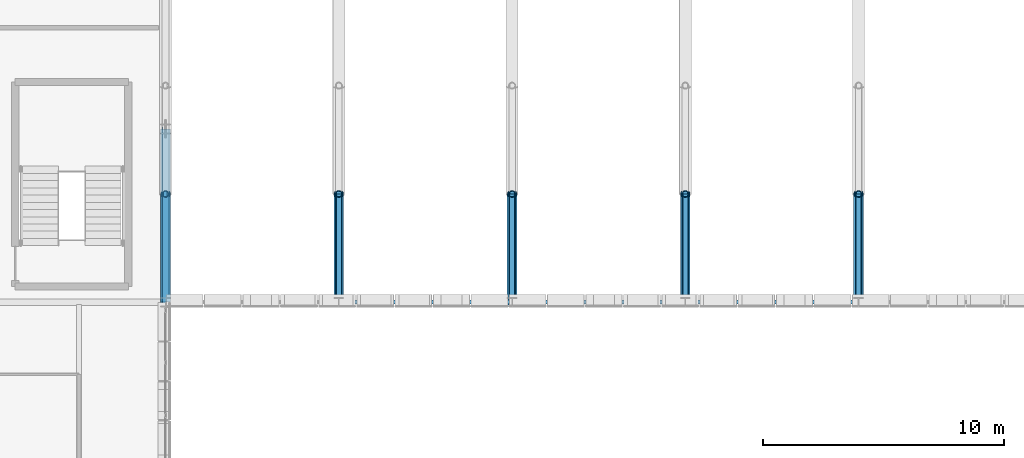
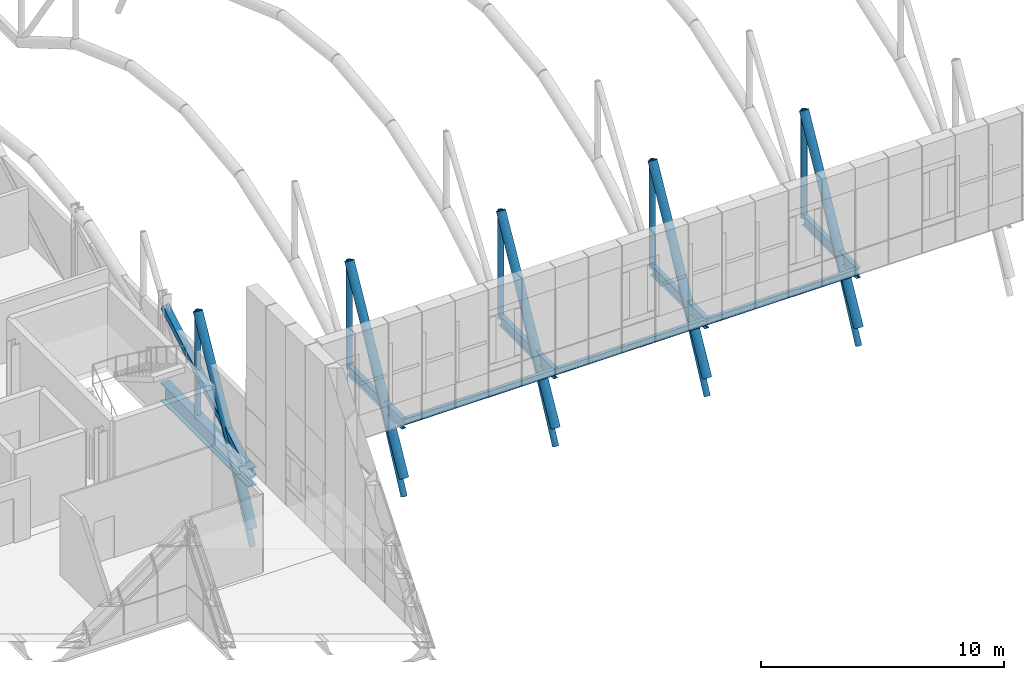
# One storey, part 23 of 144: 16 members, 8 beams.
"""IFC4 building model written with IfcOpenShell, lengths in metres."""

from ifc_helpers import new_model, si_unit, direction, frame, origin, origin_2d, place, context, subcontext, project, spatial, hollow_rectangle, hollow_circle, i_section, extrude, material, material_profile, profile_set, type_object, element, save


model = new_model("IFC4")

# Units and contexts
model_context = context("Model", 3, precision=1e-05, world=origin(), true_north=direction((0.0, 1.0)))
body_context = subcontext(model_context, "Body", "Model", "MODEL_VIEW")
ifc_project = project(units=[si_unit("LENGTHUNIT", "METRE"), si_unit("AREAUNIT", "SQUARE_METRE"), si_unit("VOLUMEUNIT", "CUBIC_METRE"), si_unit("PLANEANGLEUNIT", "RADIAN"), si_unit("MASSUNIT", "GRAM", prefix="KILO")], contexts=[model_context])

# Site, building, storey
site_placement = place(None, origin())
site = spatial("IfcSite", under=ifc_project, at=site_placement, CompositionType="ELEMENT")
building_placement = place(site_placement, origin())
building = spatial("IfcBuilding", under=site, at=building_placement, Name="Yarey Park Central Fire Station", CompositionType="ELEMENT")
storey_placement = place(building_placement, frame((0.0, 0.0, 10.199951171875)))
storey = spatial("IfcBuildingStorey", under=building, at=storey_placement, Name="L03", CompositionType="ELEMENT", Elevation=10.199951171875)

# Beams
ifc_material_1 = material(Name="Steel ASTM A992 Gr. 50", Category="steel")
ifc_material_profile_1 = material_profile(ifc_material_1, i_section(OverallWidth=0.208984375, OverallDepth=0.532958984375, WebThickness=0.01025390625, FlangeThickness=0.015625, at=origin_2d()), Name="W530x92")
ifc_profile_set_1 = profile_set([ifc_material_profile_1], Name="Steel ASTM A992 Gr. 50")
beam_type_1 = type_object("IfcBeamType", Name="STR_BM_W530", PredefinedType="BEAM", material=ifc_profile_set_1)
for number, where, z_axis, x_axis, name in (
    (1, (64.800048828125, 57.60009765625, -0.54638671875), (0.0, 1.0, 0.0), (-1.0, 0.0, 0.0), "V2 BOX OUT S L03 64"),
    (2, (72.0, 57.60009765625, -0.54638671875), (0.0, 1.0, 0.0), (-1.0, 0.0, 0.0), "V2 BOX OUT S L03 72"),
    (3, (79.199951171875, 57.60009765625, -0.54638671875), (0.0, 1.0, 0.0), (-1.0, 0.0, 0.0), "V2 BOX OUT S L03 79"),
    (4, (86.39990234375, 57.60009765625, -0.54638671875), (0.0, 1.0, 0.0), (-1.0, 0.0, 0.0), "V2 BOX OUT S L03 86"),
):
    element("IfcBeam", number, at=place(storey_placement, frame(where, z_axis=z_axis, x_axis=x_axis)), inside=storey, type_object=beam_type_1, Name=name, PredefinedType="BEAM", context=body_context, shape_type="SweptSolid", body=[
        extrude(i_section(OverallWidth=0.208984375, OverallDepth=0.532958984375, WebThickness=0.01025390625, FlangeThickness=0.015625, at=origin_2d()), origin(), (0.0, 0.0, 1.0), 4.5),
    ])
ifc_material_profile_2 = material_profile(ifc_material_1, i_section(OverallWidth=0.41796875, OverallDepth=0.912109375, WebThickness=0.019287109375, FlangeThickness=0.031982421875, at=origin_2d()), Name="W920x342")
ifc_profile_set_2 = profile_set([ifc_material_profile_2], Name="Steel ASTM A992 Gr. 50")
beam_type_2 = type_object("IfcBeamType", Name="STR_BM_W920E", PredefinedType="BEAM", material=ifc_profile_set_2)
beam_placement = place(storey_placement, frame((57.60009765625, 57.60009765625, -0.716064453125), z_axis=(0.0, 1.0, 0.0), x_axis=(-1.0, 0.0, 0.0)))
element("IfcBeam", 5, at=beam_placement, inside=storey, type_object=beam_type_2, Name="Transfer Truss TT5 L03 CH1", PredefinedType="BEAM", context=body_context, shape_type="SweptSolid", body=[
    extrude(i_section(OverallWidth=0.41796875, OverallDepth=0.912109375, WebThickness=0.019287109375, FlangeThickness=0.031982421875, at=origin_2d()), origin(), (0.0, 0.0, 1.0), 7.199951171875),
])

# Members
ifc_material_2 = material(Name="Steel ASTM A500 Gr. C", Category="steel")
ifc_material_profile_3 = material_profile(ifc_material_2, hollow_circle(Radius=0.203125, WallThickness=0.01611328125, at=origin_2d()), Name="CHS 406.4x16")
ifc_profile_set_3 = profile_set([ifc_material_profile_3], Name="Steel ASTM A500 Gr. C")
member_type_1 = type_object("IfcMemberType", Name="STR_CHORD_CHS406", PredefinedType="CHORD", material=ifc_profile_set_3)
for number, where, z_axis, x_axis, name in (
    (6, (57.60009765625, 57.60009765625, -3.280029296875), (0.0, 0.481210036658, 0.876605327738), (-1.0, 0.0, 0.0), "Arched Roof Truss ART_01 Top Chord 1"),
    (7, (64.800048828125, 57.60009765625, -3.280029296875), (0.0, 0.481210036658, 0.876605327738), (-1.0, 0.0, 0.0), "Arched Roof Truss ART_02 Top Chord 1"),
    (8, (72.0, 57.60009765625, -3.280029296875), (0.0, 0.481210036658, 0.876605327738), (-1.0, 0.0, 0.0), "Arched Roof Truss ART_03 Top Chord 1"),
    (9, (79.199951171875, 57.60009765625, -3.280029296875), (0.0, 0.481210036658, 0.876605327738), (-1.0, 0.0, 0.0), "Arched Roof Truss ART_04 Top Chord 1"),
    (10, (86.39990234375, 57.60009765625, -3.280029296875), (0.0, 0.481210036658, 0.876605327738), (-1.0, 0.0, 0.0), "Arched Roof Truss ART_05 Top Chord 1"),
):
    element("IfcMember", number, at=place(storey_placement, frame(where, z_axis=z_axis, x_axis=x_axis)), inside=storey, type_object=member_type_1, Name=name, PredefinedType="CHORD", context=body_context, shape_type="SweptSolid", body=[
        extrude(hollow_circle(Radius=0.203125, WallThickness=0.01611328125, at=origin_2d()), origin(), (0.0, 0.0, 1.0), 9.351318359375),
    ])
ifc_material_profile_4 = material_profile(ifc_material_2, hollow_rectangle(XDim=0.300048828125, YDim=0.300048828125, WallThickness=0.01611328125, at=origin_2d()), Name="HSS 300x300x16")
ifc_profile_set_4 = profile_set([ifc_material_profile_4], Name="Steel ASTM A500 Gr. C")
member_type_2 = type_object("IfcMemberType", Name="STR_PRATT_HSS300E", PredefinedType="BRACE", material=ifc_profile_set_4)
member_1_placement = place(storey_placement, frame((57.60009765625, 57.60009765625, -0.699951171875), z_axis=(0.0, 0.863779963214, 0.503869204407), x_axis=(-1.0, 0.0, 0.0)))
element("IfcMember", 11, at=member_1_placement, inside=storey, type_object=member_type_2, Name="TT5_L03_DIAG1", PredefinedType="BRACE", context=body_context, shape_type="SweptSolid", body=[
    extrude(hollow_rectangle(XDim=0.300048828125, YDim=0.300048828125, WallThickness=0.01611328125, at=origin_2d()), origin(), (0.0, 0.0, 1.0), 8.33544921875),
])

# Beams
ifc_material_profile_5 = material_profile(ifc_material_1, i_section(OverallWidth=0.1650390625, OverallDepth=0.31005859375, WebThickness=0.005859375, FlangeThickness=0.009765625, at=origin_2d()), Name="W310x39")
ifc_profile_set_5 = profile_set([ifc_material_profile_5], Name="Steel ASTM A992 Gr. 50")
beam_type_3 = type_object("IfcBeamType", Name="STR_SPN_W310", PredefinedType="SPANDREL", material=ifc_profile_set_5)
for number, where, z_axis, x_axis, name in (
    (12, (64.800048828125, 57.60009765625, -0.43505859375), (1.0, 0.0, 0.0), (0.0, 1.0, 0.0), "V2 BOX GIRT S B1 02"),
    (13, (72.0, 57.60009765625, -0.43505859375), (1.0, 0.0, 0.0), (0.0, 1.0, 0.0), "V2 BOX GIRT S B1 03"),
    (14, (79.199951171875, 57.60009765625, -0.43505859375), (1.0, 0.0, 0.0), (0.0, 1.0, 0.0), "V2 BOX GIRT S B1 04"),
):
    element("IfcBeam", number, at=place(storey_placement, frame(where, z_axis=z_axis, x_axis=x_axis)), inside=storey, type_object=beam_type_3, Name=name, PredefinedType="SPANDREL", context=body_context, shape_type="SweptSolid", body=[
        extrude(i_section(OverallWidth=0.1650390625, OverallDepth=0.31005859375, WebThickness=0.005859375, FlangeThickness=0.009765625, at=origin_2d()), origin(), (0.0, 0.0, 1.0), 7.199951171875),
    ])

# Members
ifc_material_profile_6 = material_profile(ifc_material_2, hollow_circle(Radius=0.136474609375, WallThickness=0.012451171875, at=origin_2d()), Name="CHS 273x12.5")
ifc_profile_set_6 = profile_set([ifc_material_profile_6], Name="Steel ASTM A500 Gr. C")
member_type_3 = type_object("IfcMemberType", Name="STR_WEB_CHS273", PredefinedType="BRACE", material=ifc_profile_set_6)
member_2_placement = place(storey_placement, frame((57.60009765625, 57.60009765625, -4.199951171875), z_axis=(0.0, 0.442587736107, 0.89672520643), x_axis=(-1.0, 0.0, 0.0)))
element("IfcMember", 15, at=member_2_placement, inside=storey, type_object=member_type_3, Name="Arched Roof Truss ART_01 Diagonal 1", PredefinedType="BRACE", context=body_context, shape_type="SweptSolid", body=[
    extrude(hollow_circle(Radius=0.136474609375, WallThickness=0.012451171875, at=origin_2d()), origin(), (0.0, 0.0, 1.0), 10.16748046875),
])
member_3_placement = place(storey_placement, frame((57.60009765625, 62.10009765625, -0.481201171875), z_axis=(0.0, 0.0, 1.0), x_axis=(1.0, 0.0, 0.0)))
element("IfcMember", 16, at=member_3_placement, inside=storey, type_object=member_type_3, Name="Arched Roof Truss ART_01 Vertical 2", PredefinedType="BRACE", context=body_context, shape_type="SweptSolid", body=[
    extrude(hollow_circle(Radius=0.136474609375, WallThickness=0.012451171875, at=origin_2d()), origin(), (0.0, 0.0, 1.0), 5.398681640625),
])
member_4_placement = place(storey_placement, frame((64.800048828125, 57.60009765625, -4.199951171875), z_axis=(0.0, 0.442587736107, 0.89672520643), x_axis=(-1.0, 0.0, 0.0)))
element("IfcMember", 17, at=member_4_placement, inside=storey, type_object=member_type_3, Name="Arched Roof Truss ART_02 Diagonal 1", PredefinedType="BRACE", context=body_context, shape_type="SweptSolid", body=[
    extrude(hollow_circle(Radius=0.136474609375, WallThickness=0.012451171875, at=origin_2d()), origin(), (0.0, 0.0, 1.0), 10.16748046875),
])
member_5_placement = place(storey_placement, frame((64.800048828125, 62.10009765625, -0.481201171875), z_axis=(0.0, 0.0, 1.0), x_axis=(1.0, 0.0, 0.0)))
element("IfcMember", 18, at=member_5_placement, inside=storey, type_object=member_type_3, Name="Arched Roof Truss ART_02 Vertical 2", PredefinedType="BRACE", context=body_context, shape_type="SweptSolid", body=[
    extrude(hollow_circle(Radius=0.136474609375, WallThickness=0.012451171875, at=origin_2d()), origin(), (0.0, 0.0, 1.0), 5.398681640625),
])
member_6_placement = place(storey_placement, frame((72.0, 57.60009765625, -4.199951171875), z_axis=(0.0, 0.442587736107, 0.89672520643), x_axis=(-1.0, 0.0, 0.0)))
element("IfcMember", 19, at=member_6_placement, inside=storey, type_object=member_type_3, Name="Arched Roof Truss ART_03 Diagonal 1", PredefinedType="BRACE", context=body_context, shape_type="SweptSolid", body=[
    extrude(hollow_circle(Radius=0.136474609375, WallThickness=0.012451171875, at=origin_2d()), origin(), (0.0, 0.0, 1.0), 10.16748046875),
])
member_7_placement = place(storey_placement, frame((72.0, 62.10009765625, -0.481201171875), z_axis=(0.0, 0.0, 1.0), x_axis=(1.0, 0.0, 0.0)))
element("IfcMember", 20, at=member_7_placement, inside=storey, type_object=member_type_3, Name="Arched Roof Truss ART_03 Vertical 2", PredefinedType="BRACE", context=body_context, shape_type="SweptSolid", body=[
    extrude(hollow_circle(Radius=0.136474609375, WallThickness=0.012451171875, at=origin_2d()), origin(), (0.0, 0.0, 1.0), 5.398681640625),
])
member_8_placement = place(storey_placement, frame((79.199951171875, 57.60009765625, -4.199951171875), z_axis=(0.0, 0.442587736107, 0.89672520643), x_axis=(-1.0, 0.0, 0.0)))
element("IfcMember", 21, at=member_8_placement, inside=storey, type_object=member_type_3, Name="Arched Roof Truss ART_04 Diagonal 1", PredefinedType="BRACE", context=body_context, shape_type="SweptSolid", body=[
    extrude(hollow_circle(Radius=0.136474609375, WallThickness=0.012451171875, at=origin_2d()), origin(), (0.0, 0.0, 1.0), 10.16748046875),
])
member_9_placement = place(storey_placement, frame((79.199951171875, 62.10009765625, -0.481201171875), z_axis=(0.0, 0.0, 1.0), x_axis=(1.0, 0.0, 0.0)))
element("IfcMember", 22, at=member_9_placement, inside=storey, type_object=member_type_3, Name="Arched Roof Truss ART_04 Vertical 2", PredefinedType="BRACE", context=body_context, shape_type="SweptSolid", body=[
    extrude(hollow_circle(Radius=0.136474609375, WallThickness=0.012451171875, at=origin_2d()), origin(), (0.0, 0.0, 1.0), 5.398681640625),
])
member_10_placement = place(storey_placement, frame((86.39990234375, 57.60009765625, -4.199951171875), z_axis=(0.0, 0.442587736107, 0.89672520643), x_axis=(-1.0, 0.0, 0.0)))
element("IfcMember", 23, at=member_10_placement, inside=storey, type_object=member_type_3, Name="Arched Roof Truss ART_05 Diagonal 1", PredefinedType="BRACE", context=body_context, shape_type="SweptSolid", body=[
    extrude(hollow_circle(Radius=0.136474609375, WallThickness=0.012451171875, at=origin_2d()), origin(), (0.0, 0.0, 1.0), 10.16748046875),
])
member_11_placement = place(storey_placement, frame((86.39990234375, 62.10009765625, -0.481201171875), z_axis=(0.0, 0.0, 1.0), x_axis=(1.0, 0.0, 0.0)))
element("IfcMember", 24, at=member_11_placement, inside=storey, type_object=member_type_3, Name="Arched Roof Truss ART_05 Vertical 2", PredefinedType="BRACE", context=body_context, shape_type="SweptSolid", body=[
    extrude(hollow_circle(Radius=0.136474609375, WallThickness=0.012451171875, at=origin_2d()), origin(), (0.0, 0.0, 1.0), 5.398681640625),
])

save(model, "model.ifc")
